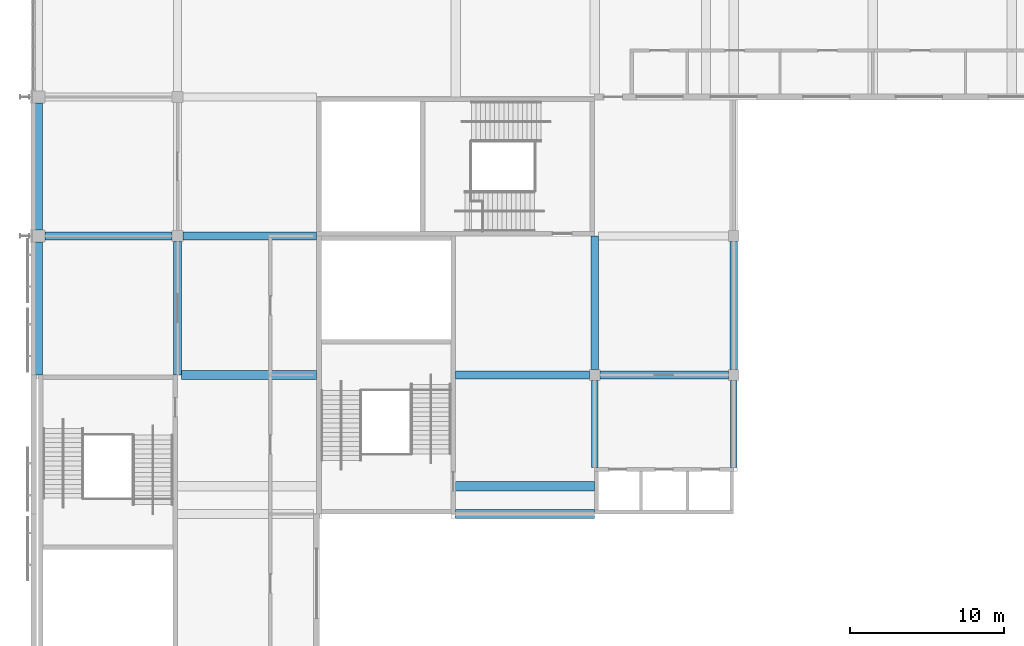
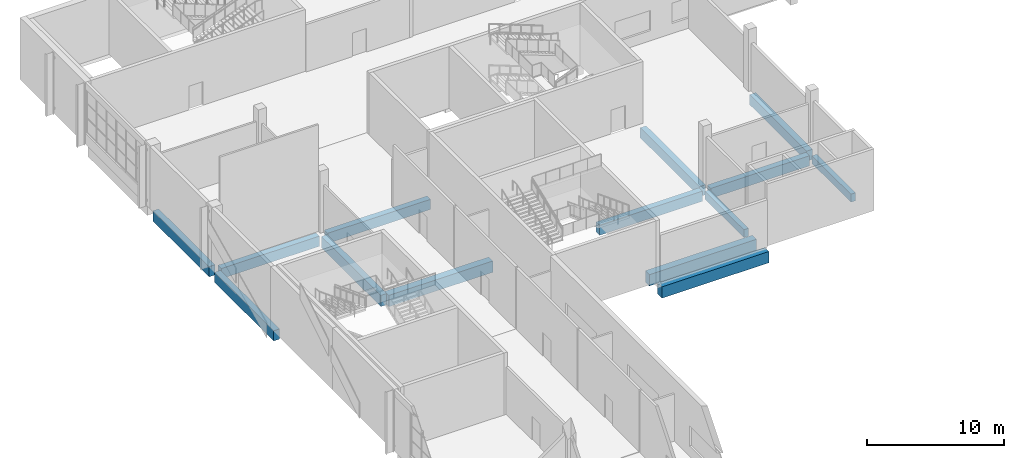
# One storey, part 12 of 84: 14 beams.
"""IFC4 building model written with IfcOpenShell, lengths in metres."""

from ifc_helpers import new_model, si_unit, direction, frame, origin, origin_2d, place, context, subcontext, project, spatial, rectangle, extrude, material, material_profile, profile_set, type_object, element, save


model = new_model("IFC4")

# Units and contexts
model_context = context("Model", 3, precision=1e-05, world=origin(), true_north=direction((0.0, 1.0)))
body_context = subcontext(model_context, "Body", "Model", "MODEL_VIEW")
ifc_project = project(units=[si_unit("LENGTHUNIT", "METRE"), si_unit("AREAUNIT", "SQUARE_METRE"), si_unit("VOLUMEUNIT", "CUBIC_METRE"), si_unit("PLANEANGLEUNIT", "RADIAN"), si_unit("MASSUNIT", "GRAM", prefix="KILO")], contexts=[model_context])

# Site, building, storey
site_placement = place(None, origin())
site = spatial("IfcSite", under=ifc_project, at=site_placement, CompositionType="ELEMENT")
building_placement = place(site_placement, origin())
building = spatial("IfcBuilding", under=site, at=building_placement, Name="Silverbay Arena", CompositionType="ELEMENT")
storey_placement = place(building_placement, frame((0.0, 0.0, 28.0)))
storey = spatial("IfcBuildingStorey", under=building, at=storey_placement, Name="L04", CompositionType="ELEMENT", Elevation=28.0)

# Beams
ifc_material_1 = material(Name="Concrete Grade C45", Category="concrete")
ifc_material_profile_1 = material_profile(ifc_material_1, rectangle(XDim=0.39990234375, YDim=0.699951171875, at=origin_2d()), Name="RC 400x700")
ifc_profile_set_1 = profile_set([ifc_material_profile_1], Name="Concrete Grade C45")
beam_type_1 = type_object("IfcBeamType", Name="RC beam 400x700", PredefinedType="BEAM", material=ifc_profile_set_1)
for number, where, z_axis, x_axis, name in (
    (1, (90.0, 102.0, -0.64990234375), (0.0, 1.0, 0.0), (-1.0, 0.0, 0.0), "Floor beam L04 098"),
    (2, (99.0, 102.0, -0.64990234375), (0.0, 1.0, 0.0), (-1.0, 0.0, 0.0), "Floor beam L04 107"),
):
    element("IfcBeam", number, at=place(storey_placement, frame(where, z_axis=z_axis, x_axis=x_axis)), inside=storey, type_object=beam_type_1, Name=name, PredefinedType="BEAM", context=body_context, shape_type="SweptSolid", body=[
        extrude(rectangle(XDim=0.39990234375, YDim=0.699951171875, at=origin_2d()), origin(), (0.0, 0.0, 1.0), 5.64990234375),
    ])
ifc_material_2 = material(Name="Concrete Grade C45", Category="concrete")
ifc_material_profile_2 = material_profile(ifc_material_2, rectangle(XDim=0.5, YDim=1.0, at=origin_2d()), Name="RC 500x1000")
ifc_profile_set_2 = profile_set([ifc_material_profile_2], Name="Concrete Grade C45")
beam_type_2 = type_object("IfcBeamType", Name="RC beam 500x1000", PredefinedType="BEAM", material=ifc_profile_set_2)
beam_1_placement = place(storey_placement, frame((63.0, 108.0, -0.800048828125), z_axis=(0.0, 1.0, 0.0), x_axis=(-1.0, 0.0, 0.0)))
element("IfcBeam", 3, at=beam_1_placement, inside=storey, type_object=beam_type_2, Name="Floor beam L04 090", PredefinedType="BEAM", context=body_context, shape_type="SweptSolid", body=[
    extrude(rectangle(XDim=0.5, YDim=1.0, at=origin_2d()), origin(), (0.0, 0.0, 1.0), 8.64990234375),
])
ifc_material_3 = material(Name="Concrete Grade C45", Category="concrete")
ifc_material_profile_3 = material_profile(ifc_material_3, rectangle(XDim=0.5, YDim=0.89990234375, at=origin_2d()), Name="RC 500x900")
ifc_profile_set_3 = profile_set([ifc_material_profile_3], Name="Concrete Grade C45")
beam_type_3 = type_object("IfcBeamType", Name="RC beam 500x900", PredefinedType="BEAM", material=ifc_profile_set_3)
beam_2_placement = place(storey_placement, frame((81.0, 108.0, -0.75), z_axis=(1.0, 0.0, 0.0), x_axis=(0.0, 1.0, 0.0)))
element("IfcBeam", 4, at=beam_2_placement, inside=storey, type_object=beam_type_3, Name="Floor beam L04 052", PredefinedType="BEAM", context=body_context, shape_type="SweptSolid", body=[
    extrude(rectangle(XDim=0.5, YDim=0.89990234375, at=origin_2d()), origin(), (0.0, 0.0, 1.0), 8.64990234375),
])
beam_3_placement = place(storey_placement, frame((90.35009765625, 108.0, -0.75), z_axis=(1.0, 0.0, 0.0), x_axis=(0.0, 1.0, 0.0)))
element("IfcBeam", 5, at=beam_3_placement, inside=storey, type_object=beam_type_3, Name="Floor beam L04 053", PredefinedType="BEAM", context=body_context, shape_type="SweptSolid", body=[
    extrude(rectangle(XDim=0.5, YDim=0.89990234375, at=origin_2d()), origin(), (0.0, 0.0, 1.0), 8.2998046875),
])
beam_4_placement = place(storey_placement, frame((54.39990234375, 117.0, -0.75), z_axis=(1.0, 0.0, 0.0), x_axis=(0.0, 1.0, 0.0)))
element("IfcBeam", 6, at=beam_4_placement, inside=storey, type_object=beam_type_3, Name="Floor beam L04 057", PredefinedType="BEAM", context=body_context, shape_type="SweptSolid", body=[
    extrude(rectangle(XDim=0.5, YDim=0.89990234375, at=origin_2d()), origin(), (0.0, 0.0, 1.0), 8.25),
])
beam_5_placement = place(storey_placement, frame((63.35009765625, 117.0, -0.75), z_axis=(1.0, 0.0, 0.0), x_axis=(0.0, 1.0, 0.0)))
element("IfcBeam", 7, at=beam_5_placement, inside=storey, type_object=beam_type_3, Name="Floor beam L04 058", PredefinedType="BEAM", context=body_context, shape_type="SweptSolid", body=[
    extrude(rectangle(XDim=0.5, YDim=0.89990234375, at=origin_2d()), origin(), (0.0, 0.0, 1.0), 8.64990234375),
])
beam_6_placement = place(storey_placement, frame((54.0, 108.0, -0.75), z_axis=(0.0, 1.0, 0.0), x_axis=(-1.0, 0.0, 0.0)))
element("IfcBeam", 8, at=beam_6_placement, inside=storey, type_object=beam_type_3, Name="Floor beam L04 082", PredefinedType="BEAM", context=body_context, shape_type="SweptSolid", body=[
    extrude(rectangle(XDim=0.5, YDim=0.89990234375, at=origin_2d()), origin(), (0.0, 0.0, 1.0), 8.60009765625),
])
beam_7_placement = place(storey_placement, frame((54.0, 117.39990234375, -0.75), z_axis=(0.0, 1.0, 0.0), x_axis=(-1.0, 0.0, 0.0)))
element("IfcBeam", 9, at=beam_7_placement, inside=storey, type_object=beam_type_3, Name="Floor beam L04 083", PredefinedType="BEAM", context=body_context, shape_type="SweptSolid", body=[
    extrude(rectangle(XDim=0.5, YDim=0.89990234375, at=origin_2d()), origin(), (0.0, 0.0, 1.0), 8.2001953125),
])
beam_8_placement = place(storey_placement, frame((90.0, 108.35009765625, -0.75), z_axis=(0.0, 1.0, 0.0), x_axis=(-1.0, 0.0, 0.0)))
element("IfcBeam", 10, at=beam_8_placement, inside=storey, type_object=beam_type_3, Name="Floor beam L04 099", PredefinedType="BEAM", context=body_context, shape_type="SweptSolid", body=[
    extrude(rectangle(XDim=0.5, YDim=0.89990234375, at=origin_2d()), origin(), (0.0, 0.0, 1.0), 8.64990234375),
])
beam_9_placement = place(storey_placement, frame((99.0, 108.35009765625, -0.75), z_axis=(0.0, 1.0, 0.0), x_axis=(-1.0, 0.0, 0.0)))
element("IfcBeam", 11, at=beam_9_placement, inside=storey, type_object=beam_type_3, Name="Floor beam L04 108", PredefinedType="BEAM", context=body_context, shape_type="SweptSolid", body=[
    extrude(rectangle(XDim=0.5, YDim=0.89990234375, at=origin_2d()), origin(), (0.0, 0.0, 1.0), 8.2998046875),
])
ifc_material_4 = material(Name="Concrete Grade C45", Category="concrete")
ifc_material_profile_4 = material_profile(ifc_material_4, rectangle(XDim=0.60009765625, YDim=1.0, at=origin_2d()), Name="RC 600x1000")
ifc_profile_set_4 = profile_set([ifc_material_profile_4], Name="Concrete Grade C45")
beam_type_4 = type_object("IfcBeamType", Name="RC beam 600x1000", PredefinedType="BEAM", material=ifc_profile_set_4)
for number, where, z_axis, x_axis, name in (
    (12, (81.0, 99.0, -0.800048828125), (1.0, 0.0, 0.0), (0.0, 1.0, 0.0), "Floor beam L04 044"),
    (13, (81.0, 100.800048828125, -0.800048828125), (1.0, 0.0, 0.0), (0.0, 1.0, 0.0), "Floor beam L04 048"),
):
    element("IfcBeam", number, at=place(storey_placement, frame(where, z_axis=z_axis, x_axis=x_axis)), inside=storey, type_object=beam_type_4, Name=name, PredefinedType="BEAM", context=body_context, shape_type="SweptSolid", body=[
        extrude(rectangle(XDim=0.60009765625, YDim=1.0, at=origin_2d()), origin(), (0.0, 0.0, 1.0), 9.0),
    ])
beam_10_placement = place(storey_placement, frame((63.25, 108.0, -0.800048828125), z_axis=(1.0, 0.0, 0.0), x_axis=(0.0, 1.0, 0.0)))
element("IfcBeam", 14, at=beam_10_placement, inside=storey, type_object=beam_type_4, Name="Floor beam L04 051", PredefinedType="BEAM", context=body_context, shape_type="SweptSolid", body=[
    extrude(rectangle(XDim=0.60009765625, YDim=1.0, at=origin_2d()), origin(), (0.0, 0.0, 1.0), 8.75),
])

save(model, "model.ifc")
